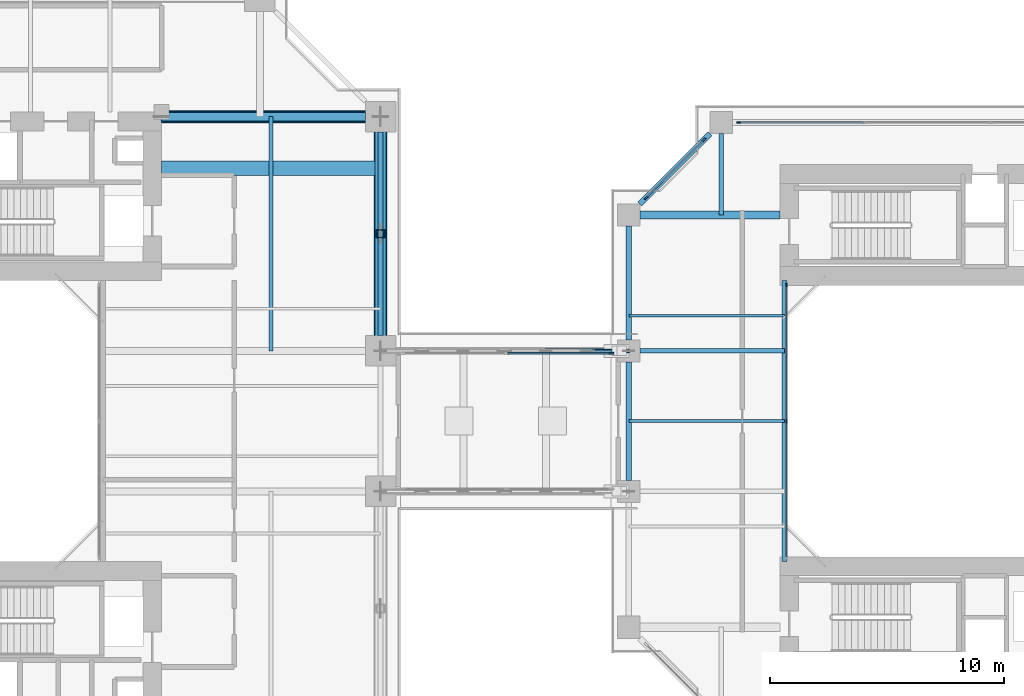
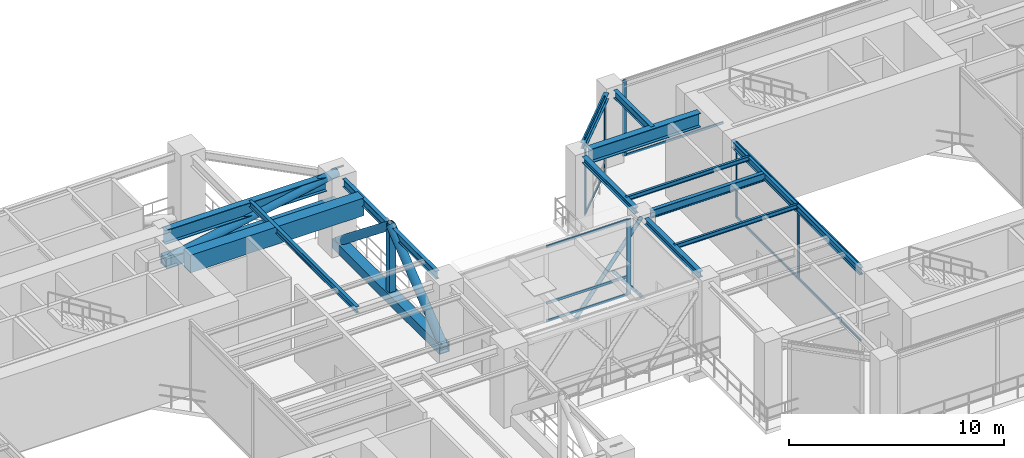
# One storey, part 7 of 26: 24 members, 13 beams, 4 elements without a shape of their own.
"""IFC4 building model written with IfcOpenShell, lengths in metres."""

from ifc_helpers import new_model, si_unit, direction, frame, origin, origin_2d, place, context, subcontext, project, spatial, rectangle, hollow_rectangle, hollow_circle, i_section, extrude, source, transform, mapped, material, layer, layer_set, material_profile, profile_set, type_object, element, aggregate, save


model = new_model("IFC4")

# Units and contexts
model_context = context("Model", 3, precision=1e-05, world=origin(), true_north=direction((0.0, 1.0)))
body_context = subcontext(model_context, "Body", "Model", "MODEL_VIEW")
ifc_project = project(units=[si_unit("LENGTHUNIT", "METRE"), si_unit("AREAUNIT", "SQUARE_METRE"), si_unit("VOLUMEUNIT", "CUBIC_METRE"), si_unit("PLANEANGLEUNIT", "RADIAN"), si_unit("MASSUNIT", "GRAM", prefix="KILO"), si_unit("THERMODYNAMICTEMPERATUREUNIT", "KELVIN"), si_unit("POWERUNIT", "WATT")], contexts=[model_context])

# Site, building, storey
site_placement = place(None, origin())
site = spatial("IfcSite", under=ifc_project, at=site_placement, CompositionType="ELEMENT")
building_placement = place(site_placement, origin())
building = spatial("IfcBuilding", under=site, at=building_placement, Name="Qiaomeng Ring Towers", CompositionType="ELEMENT")
storey_placement = place(building_placement, frame((0.0, 0.0, 45.75)))
storey = spatial("IfcBuildingStorey", under=building, at=storey_placement, Name="L12", CompositionType="ELEMENT", Elevation=45.75)

# Beams
ifc_material_1 = material(Name="Steel Q355B", Category="steel")
ifc_material_profile_1 = material_profile(ifc_material_1, i_section(OverallWidth=0.199951171875, OverallDepth=0.449951171875, WebThickness=0.009033203125, FlangeThickness=0.013916015625, FilletRadius=0.01806640625, at=origin_2d()), Name="HN 450x200x9x14")
ifc_profile_set_1 = profile_set([ifc_material_profile_1], Name="Steel Q355B")
beam_type_1 = type_object("IfcBeamType", Name="STR-BM-HN450", PredefinedType="SPANDREL", material=ifc_profile_set_1)
shared_shape_1 = source(origin(), body_context, "Body", "SweptSolid", [
    extrude(i_section(OverallWidth=0.199951171875, OverallDepth=0.449951171875, WebThickness=0.009033203125, FlangeThickness=0.013916015625, FilletRadius=0.01806640625, at=origin_2d()), origin(), (0.0, 0.0, 1.0), 8.7021484375),
])
beam_1_placement = place(storey_placement, frame((37.14990234375, 26.64892578125, 4.094970703125), z_axis=(0.0, 1.0, 0.0), x_axis=(-1.0, 0.0, 0.0)))
element("IfcBeam", 1, at=beam_1_placement, inside=storey, type_object=beam_type_1, Name="L12 beam STR-SP-L12-T1-E3-E4", PredefinedType="SPANDREL", context=body_context, shape_type="MappedRepresentation", body=[
    mapped(shared_shape_1, transform((0.0, 0.0, 0.0), x_axis=(1.0, 0.0, 0.0), y_axis=(0.0, 1.0, 0.0), z_axis=(0.0, 0.0, 1.0), scale=1.0)),
])
ifc_material_2 = material(Name="Steel Q390GJC", Category="steel")
ifc_material_profile_2 = material_profile(ifc_material_2, i_section(OverallWidth=0.35009765625, OverallDepth=0.800048828125, WebThickness=0.01611328125, FlangeThickness=0.028076171875, at=origin_2d()), Name="WH 800x350x16x28")
ifc_profile_set_2 = profile_set([ifc_material_profile_2], Name="Steel Q390GJC")
beam_type_2 = type_object("IfcBeamType", Name="STR-BM-WH800", PredefinedType="BEAM", material=ifc_profile_set_2)
shared_shape_2 = source(origin(), body_context, "Body", "SweptSolid", [
    extrude(i_section(OverallWidth=0.35009765625, OverallDepth=0.800048828125, WebThickness=0.01611328125, FlangeThickness=0.028076171875, at=origin_2d()), origin(), (0.0, 0.0, 1.0), 8.700927734375),
])
beam_2_placement = place(storey_placement, frame((27.800048828125, 36.0, 3.919921875), z_axis=(1.0, 0.0, 0.0), x_axis=(0.0, 1.0, 0.0)))
element("IfcBeam", 2, at=beam_2_placement, inside=storey, type_object=beam_type_2, Name="L12 beam STR-BM-L12-T1-RAD-E4", PredefinedType="BEAM", context=body_context, shape_type="MappedRepresentation", body=[
    mapped(shared_shape_2, transform((0.0, 0.0, 0.0), x_axis=(1.0, 0.0, 0.0), y_axis=(0.0, 1.0, 0.0), z_axis=(0.0, 0.0, 1.0), scale=1.0)),
])
ifc_material_profile_3 = material_profile(ifc_material_1, i_section(OverallWidth=0.25, OverallDepth=0.340087890625, WebThickness=0.009033203125, FlangeThickness=0.013916015625, FilletRadius=0.02001953125, at=origin_2d()), Name="HM 340x250x9x14")
ifc_profile_set_3 = profile_set([ifc_material_profile_3], Name="Steel Q355B")
beam_type_3 = type_object("IfcBeamType", Name="STR-BM-HM340", PredefinedType="SPANDREL", material=ifc_profile_set_3)
shared_shape_3 = source(origin(), body_context, "Body", "SweptSolid", [
    extrude(i_section(OverallWidth=0.25, OverallDepth=0.340087890625, WebThickness=0.009033203125, FlangeThickness=0.013916015625, FilletRadius=0.02001953125, at=origin_2d()), origin(), (0.0, 0.0, 1.0), 4.244384765625),
])
beam_3_placement = place(storey_placement, frame((51.2255859375, 35.275634765625, 4.14990234375), z_axis=(-0.707106781187, -0.707106781187, 0.0), x_axis=(0.707106781187, -0.707106781187, 0.0)))
element("IfcBeam", 3, at=beam_3_placement, inside=storey, type_object=beam_type_3, Name="L12 beam STR-SP-L12-T2-N1-W4", PredefinedType="SPANDREL", context=body_context, shape_type="MappedRepresentation", body=[
    mapped(shared_shape_3, transform((0.0, 0.0, 0.0), x_axis=(1.0, 0.0, 0.0), y_axis=(0.0, 1.0, 0.0), z_axis=(0.0, 0.0, 1.0), scale=1.0)),
])
shared_shape_4 = source(origin(), body_context, "Body", "SweptSolid", [
    extrude(i_section(OverallWidth=0.25, OverallDepth=0.340087890625, WebThickness=0.009033203125, FlangeThickness=0.013916015625, FilletRadius=0.02001953125, at=origin_2d()), origin(), (0.0, 0.0, 1.0), 4.851806640625),
])
beam_4_placement = place(storey_placement, frame((47.75, 31.325927734375, 4.14990234375), z_axis=(0.0, -1.0, 0.0), x_axis=(1.0, 0.0, 0.0)))
element("IfcBeam", 4, at=beam_4_placement, inside=storey, type_object=beam_type_3, Name="L12 beam STR-SP-L12-T2-W4-W3", PredefinedType="SPANDREL", context=body_context, shape_type="MappedRepresentation", body=[
    mapped(shared_shape_4, transform((0.0, 0.0, 0.0), x_axis=(1.0, 0.0, 0.0), y_axis=(0.0, 1.0, 0.0), z_axis=(0.0, 0.0, 1.0), scale=1.0)),
])
shared_shape_5 = source(origin(), body_context, "Body", "SweptSolid", [
    extrude(i_section(OverallWidth=0.25, OverallDepth=0.340087890625, WebThickness=0.009033203125, FlangeThickness=0.013916015625, FilletRadius=0.02001953125, at=origin_2d()), origin(), (0.0, 0.0, 1.0), 5.0517578125),
])
beam_5_placement = place(storey_placement, frame((47.75, 25.52587890625, 4.14990234375), z_axis=(0.0, -1.0, 0.0), x_axis=(1.0, 0.0, 0.0)))
element("IfcBeam", 5, at=beam_5_placement, inside=storey, type_object=beam_type_3, Name="L12 beam STR-SP-L12-T2-W3-W2", PredefinedType="SPANDREL", context=body_context, shape_type="MappedRepresentation", body=[
    mapped(shared_shape_5, transform((0.0, 0.0, 0.0), x_axis=(1.0, 0.0, 0.0), y_axis=(0.0, 1.0, 0.0), z_axis=(0.0, 0.0, 1.0), scale=1.0)),
])
ifc_material_profile_4 = material_profile(ifc_material_1, i_section(OverallWidth=0.199951171875, OverallDepth=0.39990234375, WebThickness=0.008056640625, FlangeThickness=0.012939453125, FilletRadius=0.01611328125, at=origin_2d()), Name="HN 400x200x8x13")
ifc_profile_set_4 = profile_set([ifc_material_profile_4], Name="Steel Q355B")
beam_type_4 = type_object("IfcBeamType", Name="STR-BM-HN400", PredefinedType="SPANDREL", material=ifc_profile_set_4)
shared_shape_6 = source(origin(), body_context, "Body", "SweptSolid", [
    extrude(i_section(OverallWidth=0.199951171875, OverallDepth=0.39990234375, WebThickness=0.008056640625, FlangeThickness=0.012939453125, FilletRadius=0.01611328125, at=origin_2d()), origin(), (0.0, 0.0, 1.0), 12.0),
])
beam_6_placement = place(storey_placement, frame((54.39990234375, 17.0, 4.1201171875), z_axis=(0.0, 1.0, 0.0), x_axis=(-1.0, 0.0, 0.0)))
element("IfcBeam", 6, at=beam_6_placement, inside=storey, type_object=beam_type_4, Name="L12 beam STR-BM-L12-T2-WELL-W", PredefinedType="SPANDREL", context=body_context, shape_type="MappedRepresentation", body=[
    mapped(shared_shape_6, transform((0.0, 0.0, 0.0), x_axis=(1.0, 0.0, 0.0), y_axis=(0.0, 1.0, 0.0), z_axis=(0.0, 0.0, 1.0), scale=1.0)),
])
shared_shape_7 = source(origin(), body_context, "Body", "SweptSolid", [
    extrude(i_section(OverallWidth=0.35009765625, OverallDepth=0.800048828125, WebThickness=0.01611328125, FlangeThickness=0.028076171875, at=origin_2d()), origin(), (0.0, 0.0, 1.0), 5.975830078125),
])
beam_7_placement = place(storey_placement, frame((48.22412109375, 31.800048828125, 3.919921875), z_axis=(1.0, 0.0, 0.0), x_axis=(0.0, 1.0, 0.0)))
element("IfcBeam", 7, at=beam_7_placement, inside=storey, type_object=beam_type_2, Name="L12 beam STR-BM-L12-T2-RAD-W4", PredefinedType="BEAM", context=body_context, shape_type="MappedRepresentation", body=[
    mapped(shared_shape_7, transform((0.0, 0.0, 0.0), x_axis=(1.0, 0.0, 0.0), y_axis=(0.0, 1.0, 0.0), z_axis=(0.0, 0.0, 1.0), scale=1.0)),
])
shared_shape_8 = source(origin(), body_context, "Body", "SweptSolid", [
    extrude(i_section(OverallWidth=0.199951171875, OverallDepth=0.449951171875, WebThickness=0.009033203125, FlangeThickness=0.013916015625, FilletRadius=0.01806640625, at=origin_2d()), origin(), (0.0, 0.0, 1.0), 6.17578125),
])
beam_8_placement = place(storey_placement, frame((48.22412109375, 26.0, 4.094970703125), z_axis=(1.0, 0.0, 0.0), x_axis=(0.0, 1.0, 0.0)))
element("IfcBeam", 8, at=beam_8_placement, inside=storey, type_object=beam_type_1, Name="L12 beam STR-BM-L12-T2-RAD-W3", PredefinedType="SPANDREL", context=body_context, shape_type="MappedRepresentation", body=[
    mapped(shared_shape_8, transform((0.0, 0.0, 0.0), x_axis=(1.0, 0.0, 0.0), y_axis=(0.0, 1.0, 0.0), z_axis=(0.0, 0.0, 1.0), scale=1.0)),
])
shared_shape_9 = source(origin(), body_context, "Body", "SweptSolid", [
    extrude(i_section(OverallWidth=0.199951171875, OverallDepth=0.449951171875, WebThickness=0.009033203125, FlangeThickness=0.013916015625, FilletRadius=0.01806640625, at=origin_2d()), origin(), (0.0, 0.0, 1.0), 3.475830078125),
])
beam_9_placement = place(storey_placement, frame((51.699951171875, 35.27587890625, 4.094970703125), z_axis=(0.0, -1.0, 0.0), x_axis=(1.0, 0.0, 0.0)))
element("IfcBeam", 9, at=beam_9_placement, inside=storey, type_object=beam_type_1, Name="L12 beam STR-BM-L12-T2-RAD-N1", PredefinedType="SPANDREL", context=body_context, shape_type="MappedRepresentation", body=[
    mapped(shared_shape_9, transform((0.0, 0.0, 0.0), x_axis=(1.0, 0.0, 0.0), y_axis=(0.0, 1.0, 0.0), z_axis=(0.0, 0.0, 1.0), scale=1.0)),
])
ifc_material_profile_5 = material_profile(ifc_material_1, i_section(OverallWidth=0.175048828125, OverallDepth=0.35009765625, WebThickness=0.007080078125, FlangeThickness=0.010986328125, FilletRadius=0.013916015625, at=origin_2d()), Name="HN 350x175x7x11")
ifc_profile_set_5 = profile_set([ifc_material_profile_5], Name="Steel Q355B")
beam_type_5 = type_object("IfcBeamType", Name="STR-BM-HN350", PredefinedType="JOIST", material=ifc_profile_set_5)
shared_shape_10 = source(origin(), body_context, "Body", "SweptSolid", [
    extrude(i_section(OverallWidth=0.175048828125, OverallDepth=0.35009765625, WebThickness=0.007080078125, FlangeThickness=0.010986328125, FilletRadius=0.013916015625, at=origin_2d()), origin(), (0.0, 0.0, 1.0), 10.0),
])
beam_10_placement = place(storey_placement, frame((32.47509765625, 26.0, 4.14501953125), z_axis=(0.0, 1.0, 0.0), x_axis=(-1.0, 0.0, 0.0)))
element("IfcBeam", 10, at=beam_10_placement, inside=storey, type_object=beam_type_5, Name="L12 beam STR-JST-L12-T1C-EN", PredefinedType="JOIST", context=body_context, shape_type="MappedRepresentation", body=[
    mapped(shared_shape_10, transform((0.0, 0.0, 0.0), x_axis=(1.0, 0.0, 0.0), y_axis=(0.0, 1.0, 0.0), z_axis=(0.0, 0.0, 1.0), scale=1.0)),
])
ifc_material_profile_6 = material_profile(ifc_material_1, i_section(OverallWidth=0.125, OverallDepth=0.25, WebThickness=0.006103515625, FlangeThickness=0.009033203125, FilletRadius=0.011962890625, at=origin_2d()), Name="HN 250x125x6x9")
ifc_profile_set_6 = profile_set([ifc_material_profile_6], Name="Steel Q355B")
beam_type_6 = type_object("IfcBeamType", Name="STR-BM-HN250", PredefinedType="JOIST", material=ifc_profile_set_6)
shared_shape_11 = source(origin(), body_context, "Body", "SweptSolid", [
    extrude(i_section(OverallWidth=0.125, OverallDepth=0.25, WebThickness=0.006103515625, FlangeThickness=0.009033203125, FilletRadius=0.011962890625, at=origin_2d()), origin(), (0.0, 0.0, 1.0), 6.64990234375),
])
for number, where, z_axis, x_axis, name in (
    (11, (47.75, 23.0, 4.195068359375), (1.0, 0.0, 0.0), (0.0, 1.0, 0.0), "L12 beam STR-JST-L12-T2W-2"),
    (12, (47.75, 27.5, 4.195068359375), (1.0, 0.0, 0.0), (0.0, 1.0, 0.0), "L12 beam STR-JST-L12-T2W-3"),
):
    element("IfcBeam", number, at=place(storey_placement, frame(where, z_axis=z_axis, x_axis=x_axis)), inside=storey, type_object=beam_type_6, Name=name, PredefinedType="JOIST", context=body_context, shape_type="MappedRepresentation", body=[
        mapped(shared_shape_11, transform((0.0, 0.0, 0.0), x_axis=(1.0, 0.0, 0.0), y_axis=(0.0, 1.0, 0.0), z_axis=(0.0, 0.0, 1.0), scale=1.0)),
    ])
ifc_material_3 = material(Name="Concrete C60", Category="concrete")
ifc_material_profile_7 = material_profile(ifc_material_3, rectangle(XDim=0.60009765625, YDim=1.0, at=origin_2d()), Name="RC BM 600x1000")
ifc_profile_set_7 = profile_set([ifc_material_profile_7], Name="Concrete C60")
beam_type_7 = type_object("IfcBeamType", Name="STR-BM-RC1000", PredefinedType="LINTEL", material=ifc_profile_set_7)
shared_shape_12 = source(origin(), body_context, "Body", "SweptSolid", [
    extrude(rectangle(XDim=0.60009765625, YDim=1.0, at=origin_2d()), origin(), (0.0, 0.0, 1.0), 9.349853515625),
])
beam_11_placement = place(storey_placement, frame((27.800048828125, 33.800048828125, 3.820068359375), z_axis=(1.0, 0.0, 0.0), x_axis=(0.0, 1.0, 0.0)))
element("IfcBeam", 13, at=beam_11_placement, inside=storey, type_object=beam_type_7, Name="L12 beam STR-CB-L12-T1N", PredefinedType="LINTEL", context=body_context, shape_type="MappedRepresentation", body=[
    mapped(shared_shape_12, transform((0.0, 0.0, 0.0), x_axis=(1.0, 0.0, 0.0), y_axis=(0.0, 1.0, 0.0), z_axis=(0.0, 0.0, 1.0), scale=1.0)),
])

# Members
ifc_material_profile_8 = material_profile(ifc_material_2, hollow_rectangle(XDim=0.35009765625, YDim=0.35009765625, WallThickness=0.02001953125, at=origin_2d()), Name="SHS 350x350x20")
ifc_profile_set_8 = profile_set([ifc_material_profile_8], Name="Steel Q390GJC")
member_type_1 = type_object("IfcMemberType", Name="STR-MB-POST-350", PredefinedType="POST", material=ifc_profile_set_8)
shared_shape_13 = source(origin(), body_context, "Body", "SweptSolid", [
    extrude(hollow_rectangle(XDim=0.35009765625, YDim=0.35009765625, WallThickness=0.02001953125, at=origin_2d()), origin(), (0.0, 0.0, 1.0), 4.0),
])
member_1_placement = place(storey_placement, frame((37.14990234375, 31.0, 0.320068359375), z_axis=(0.0, 0.0, 1.0), x_axis=(1.0, 0.0, 0.0)))
element("IfcMember", 14, at=member_1_placement, inside=storey, type_object=member_type_1, Name="L12 Belt Truss Post E3-E4", PredefinedType="POST", context=body_context, shape_type="MappedRepresentation", body=[
    mapped(shared_shape_13, transform((0.0, 0.0, 0.0), x_axis=(1.0, 0.0, 0.0), y_axis=(0.0, 1.0, 0.0), z_axis=(0.0, 0.0, 1.0), scale=1.0)),
])
ifc_material_profile_9 = material_profile(ifc_material_2, hollow_rectangle(XDim=0.550048828125, YDim=0.550048828125, WallThickness=0.031982421875, at=origin_2d()), Name="SHS 550x550x32")
ifc_profile_set_9 = profile_set([ifc_material_profile_9], Name="Steel Q390GJC")
member_type_2 = type_object("IfcMemberType", Name="STR-MB-CHORD-550", PredefinedType="CHORD", material=ifc_profile_set_9)
shared_shape_14 = source(origin(), body_context, "Body", "SweptSolid", [
    extrude(hollow_rectangle(XDim=0.550048828125, YDim=0.550048828125, WallThickness=0.031982421875, at=origin_2d()), origin(), (0.0, 0.0, 1.0), 10.0),
])
member_2_placement = place(storey_placement, frame((37.14990234375, 26.0, 0.320068359375), z_axis=(0.0, 1.0, 0.0), x_axis=(-1.0, 0.0, 0.0)))
element("IfcMember", 15, at=member_2_placement, inside=storey, type_object=member_type_2, Name="L12 Belt Truss Bottom Chord E3-E4", PredefinedType="CHORD", context=body_context, shape_type="MappedRepresentation", body=[
    mapped(shared_shape_14, transform((0.0, 0.0, 0.0), x_axis=(1.0, 0.0, 0.0), y_axis=(0.0, 1.0, 0.0), z_axis=(0.0, 0.0, 1.0), scale=1.0)),
])
ifc_material_profile_10 = material_profile(ifc_material_2, hollow_circle(Radius=0.228515625, WallThickness=0.028076171875, at=origin_2d()), Name="CHS 457x28")
ifc_profile_set_10 = profile_set([ifc_material_profile_10], Name="Steel Q390GJC")
member_type_3 = type_object("IfcMemberType", Name="STR-MB-BR-457", PredefinedType="BRACE", material=ifc_profile_set_10)
shared_shape_15 = source(origin(), body_context, "Body", "SweptSolid", [
    extrude(hollow_circle(Radius=0.228515625, WallThickness=0.028076171875, at=origin_2d()), origin(), (0.0, 0.0, 1.0), 6.390625),
])
for number, where, z_axis, x_axis, name in (
    (16, (37.14990234375, 26.0, 0.320068359375), (0.0, 0.782394587595, 0.622783035497), (-1.0, 0.0, 0.0), "L12 Belt Truss Diagonal E3-M"),
    (17, (37.14990234375, 36.0, 0.320068359375), (0.0, -0.782394587595, 0.622783035497), (1.0, 0.0, 0.0), "L12 Belt Truss Diagonal E4-M"),
):
    element("IfcMember", number, at=place(storey_placement, frame(where, z_axis=z_axis, x_axis=x_axis)), inside=storey, type_object=member_type_3, Name=name, PredefinedType="BRACE", context=body_context, shape_type="MappedRepresentation", body=[
        mapped(shared_shape_15, transform((0.0, 0.0, 0.0), x_axis=(1.0, 0.0, 0.0), y_axis=(0.0, 1.0, 0.0), z_axis=(0.0, 0.0, 1.0), scale=1.0)),
    ])
shared_shape_16 = source(origin(), body_context, "Body", "SweptSolid", [
    extrude(hollow_rectangle(XDim=0.550048828125, YDim=0.550048828125, WallThickness=0.031982421875, at=origin_2d()), origin(), (0.0, 0.0, 1.0), 9.349853515625),
])
member_3_placement = place(storey_placement, frame((27.800048828125, 36.0, 2.47998046875), z_axis=(1.0, 0.0, 0.0), x_axis=(0.0, 1.0, 0.0)))
element("IfcMember", 18, at=member_3_placement, inside=storey, type_object=member_type_2, Name="L12 Core Outrigger Truss Bottom Chord E4", PredefinedType="CHORD", context=body_context, shape_type="MappedRepresentation", body=[
    mapped(shared_shape_16, transform((0.0, 0.0, 0.0), x_axis=(1.0, 0.0, 0.0), y_axis=(0.0, 1.0, 0.0), z_axis=(0.0, 0.0, 1.0), scale=1.0)),
])
shared_shape_17 = source(origin(), body_context, "Body", "SweptSolid", [
    extrude(hollow_circle(Radius=0.228515625, WallThickness=0.028076171875, at=origin_2d()), origin(), (0.0, 0.0, 1.0), 9.525390625),
])
member_4_placement = place(storey_placement, frame((27.800048828125, 36.0, 2.47998046875), z_axis=(0.981575216514, 0.0, 0.191076147978), x_axis=(0.0, 1.0, 0.0)))
element("IfcMember", 19, at=member_4_placement, inside=storey, type_object=member_type_3, Name="L12 Core Outrigger Truss Diagonal E4", PredefinedType="BRACE", context=body_context, shape_type="MappedRepresentation", body=[
    mapped(shared_shape_17, transform((0.0, 0.0, 0.0), x_axis=(1.0, 0.0, 0.0), y_axis=(0.0, 1.0, 0.0), z_axis=(0.0, 0.0, 1.0), scale=1.0)),
])
ifc_material_profile_11 = material_profile(ifc_material_2, hollow_circle(Radius=0.083984375, WallThickness=0.008056640625, at=origin_2d()), Name="CHS 168x8")
ifc_profile_set_11 = profile_set([ifc_material_profile_11], Name="Steel Q390GJC")
member_type_4 = type_object("IfcMemberType", Name="STR-MB-BR-168", PredefinedType="BRACE", material=ifc_profile_set_11)
shared_shape_18 = source(origin(), body_context, "Body", "SweptSolid", [
    extrude(hollow_circle(Radius=0.083984375, WallThickness=0.008056640625, at=origin_2d()), origin(), (0.0, 0.0, 1.0), 2.4599609375),
])
member_5_placement = place(storey_placement, frame((47.75, 26.0, -0.429931640625), z_axis=(-0.617589227462, 0.0, 0.786500823981), x_axis=(0.0, -1.0, 0.0)))
element("IfcMember", 20, at=member_5_placement, inside=storey, type_object=member_type_4, Name="Skybridge Bridge SB1 Split X-Brace Lower N-3", PredefinedType="BRACE", context=body_context, shape_type="MappedRepresentation", body=[
    mapped(shared_shape_18, transform((0.0, 0.0, 0.0), x_axis=(1.0, 0.0, 0.0), y_axis=(0.0, 1.0, 0.0), z_axis=(0.0, 0.0, 1.0), scale=1.0)),
])
ifc_material_profile_12 = material_profile(ifc_material_2, hollow_circle(Radius=0.109619140625, WallThickness=0.011962890625, at=origin_2d()), Name="CHS 219x12")
ifc_profile_set_12 = profile_set([ifc_material_profile_12], Name="Steel Q390GJC")
member_type_5 = type_object("IfcMemberType", Name="STR-MB-BR-219", PredefinedType="BRACE", material=ifc_profile_set_12)
shared_shape_19 = source(origin(), body_context, "Body", "SweptSolid", [
    extrude(hollow_circle(Radius=0.109619140625, WallThickness=0.011962890625, at=origin_2d()), origin(), (0.0, 0.0, 1.0), 5.72119140625),
])
member_6_placement = place(storey_placement, frame((44.217041015625, 26.0, -0.429931640625), z_axis=(0.61752373761, 0.0, 0.786552244602), x_axis=(0.0, 1.0, 0.0)))
element("IfcMember", 21, at=member_6_placement, inside=storey, type_object=member_type_5, Name="Skybridge Bridge SB1 Truss Diagonal N-3", PredefinedType="BRACE", context=body_context, shape_type="MappedRepresentation", body=[
    mapped(shared_shape_19, transform((0.0, 0.0, 0.0), x_axis=(1.0, 0.0, 0.0), y_axis=(0.0, 1.0, 0.0), z_axis=(0.0, 0.0, 1.0), scale=1.0)),
])

# Curtain wall, members
ifc_material_4 = material(Name="Fluorocarbon dark-grey aluminium", Category="aluminium")
ifc_layer_1 = layer(ifc_material_4, 0.139892578125, Name="Fluorocarbon dark-grey aluminium")
ifc_layer_set_1 = layer_set([ifc_layer_1], Name="Fluorocarbon dark-grey aluminium")
curtain_wall_type_1 = type_object("IfcCurtainWallType", Name="ARC-CW-4", PredefinedType="NOTDEFINED", material=ifc_layer_set_1)
curtain_wall_1_placement = place(storey_placement, origin())
curtain_wall_1 = element("IfcCurtainWall", 22, at=curtain_wall_1_placement, inside=storey, type_object=curtain_wall_type_1, Name="L12 Curtain Wall CW4", PredefinedType="NOTDEFINED")
ifc_material_profile_13 = material_profile(ifc_material_4, rectangle(XDim=0.06494140625, YDim=0.1298828125, at=origin_2d()), Name="ALU TRAN 65x130")
ifc_profile_set_13 = profile_set([ifc_material_profile_13], Name="Fluorocarbon dark-grey aluminium")
member_type_6 = type_object("IfcMemberType", Name="ARC-CWT-120", PredefinedType="USERDEFINED", material=ifc_profile_set_13)
shared_shape_20 = source(origin(), body_context, "Body", "SweptSolid", [
    extrude(rectangle(XDim=0.06494140625, YDim=0.1298828125, at=origin_2d()), origin(), (0.0, 0.0, 1.0), 5.75244140625),
])
member_7_placement = place(storey_placement, frame((54.47998046875, 17.215087890625, 0.032470703125), z_axis=(0.0, 1.0, 0.0), x_axis=(-1.0, 0.0, 0.0)))
member_7 = element("IfcMember", 23, at=member_7_placement, type_object=member_type_6, Name="CW4 transom 1.1", ObjectType="TRANSOM", PredefinedType="USERDEFINED", context=body_context, shape_type="MappedRepresentation", body=[
    mapped(shared_shape_20, transform((0.0, 0.0, 0.0), x_axis=(1.0, 0.0, 0.0), y_axis=(0.0, 1.0, 0.0), z_axis=(0.0, 0.0, 1.0), scale=1.0)),
])
member_8_placement = place(storey_placement, frame((54.47998046875, 17.215087890625, 4.28759765625), z_axis=(0.0, 1.0, 0.0), x_axis=(-1.0, 0.0, 0.0)))
member_8 = element("IfcMember", 24, at=member_8_placement, type_object=member_type_6, Name="CW4 transom 1.2", ObjectType="TRANSOM", PredefinedType="USERDEFINED", context=body_context, shape_type="MappedRepresentation", body=[
    mapped(shared_shape_20, transform((0.0, 0.0, 0.0), x_axis=(1.0, 0.0, 0.0), y_axis=(0.0, 1.0, 0.0), z_axis=(0.0, 0.0, 1.0), scale=1.0)),
])
member_9_placement = place(storey_placement, frame((54.47998046875, 23.032470703125, 0.032470703125), z_axis=(0.0, 1.0, 0.0), x_axis=(-1.0, 0.0, 0.0)))
member_9 = element("IfcMember", 25, at=member_9_placement, type_object=member_type_6, Name="CW4 transom 2.1", ObjectType="TRANSOM", PredefinedType="USERDEFINED", context=body_context, shape_type="MappedRepresentation", body=[
    mapped(shared_shape_20, transform((0.0, 0.0, 0.0), x_axis=(1.0, 0.0, 0.0), y_axis=(0.0, 1.0, 0.0), z_axis=(0.0, 0.0, 1.0), scale=1.0)),
])
member_10_placement = place(storey_placement, frame((54.47998046875, 23.032470703125, 4.28759765625), z_axis=(0.0, 1.0, 0.0), x_axis=(-1.0, 0.0, 0.0)))
member_10 = element("IfcMember", 26, at=member_10_placement, type_object=member_type_6, Name="CW4 transom 2.2", ObjectType="TRANSOM", PredefinedType="USERDEFINED", context=body_context, shape_type="MappedRepresentation", body=[
    mapped(shared_shape_20, transform((0.0, 0.0, 0.0), x_axis=(1.0, 0.0, 0.0), y_axis=(0.0, 1.0, 0.0), z_axis=(0.0, 0.0, 1.0), scale=1.0)),
])

# Curtain wall, member
ifc_layer_2 = layer(ifc_material_4, 0.14990234375, Name="Fluorocarbon dark-grey aluminium")
ifc_layer_set_2 = layer_set([ifc_layer_2], Name="Fluorocarbon dark-grey aluminium")
curtain_wall_type_2 = type_object("IfcCurtainWallType", Name="ARC-CW-5", PredefinedType="NOTDEFINED", material=ifc_layer_set_2)
curtain_wall_2_placement = place(storey_placement, origin())
curtain_wall_2 = element("IfcCurtainWall", 27, at=curtain_wall_2_placement, inside=storey, type_object=curtain_wall_type_2, Name="L12 Curtain Wall CW5", PredefinedType="NOTDEFINED")
shared_shape_21 = source(origin(), body_context, "Body", "SweptSolid", [
    extrude(rectangle(XDim=0.06494140625, YDim=0.1298828125, at=origin_2d()), origin(), (0.0, 0.0, 1.0), 5.284912109375),
])
member_11_placement = place(storey_placement, frame((52.485107421875, 35.75, 0.032470703125), z_axis=(1.0, 0.0, 0.0), x_axis=(0.0, 1.0, 0.0)))
member_11 = element("IfcMember", 28, at=member_11_placement, type_object=member_type_6, Name="CW5 transom 1.1", ObjectType="TRANSOM", PredefinedType="USERDEFINED", context=body_context, shape_type="MappedRepresentation", body=[
    mapped(shared_shape_21, transform((0.0, 0.0, 0.0), x_axis=(1.0, 0.0, 0.0), y_axis=(0.0, 1.0, 0.0), z_axis=(0.0, 0.0, 1.0), scale=1.0)),
])

# Curtain wall, members
curtain_wall_3_placement = place(storey_placement, origin())
curtain_wall_3 = element("IfcCurtainWall", 29, at=curtain_wall_3_placement, inside=storey, type_object=curtain_wall_type_2, Name="L12 Curtain Wall CW5", PredefinedType="NOTDEFINED")
shared_shape_22 = source(origin(), body_context, "Body", "SweptSolid", [
    extrude(rectangle(XDim=0.06494140625, YDim=0.1298828125, at=origin_2d()), origin(), (0.0, 0.0, 1.0), 3.424072265625),
])
member_12_placement = place(storey_placement, frame((50.935546875, 34.985595703125, 0.032470703125), z_axis=(-0.707106781187, -0.707106781187, 0.0), x_axis=(0.707106781187, -0.707106781187, 0.0)))
member_12 = element("IfcMember", 30, at=member_12_placement, type_object=member_type_6, Name="CW5 transom 1.1", ObjectType="TRANSOM", PredefinedType="USERDEFINED", context=body_context, shape_type="MappedRepresentation", body=[
    mapped(shared_shape_22, transform((0.0, 0.0, 0.0), x_axis=(1.0, 0.0, 0.0), y_axis=(0.0, 1.0, 0.0), z_axis=(0.0, 0.0, 1.0), scale=1.0)),
])
member_13_placement = place(storey_placement, frame((50.935546875, 34.985595703125, 4.28759765625), z_axis=(-0.707106781187, -0.707106781187, 0.0), x_axis=(0.707106781187, -0.707106781187, 0.0)))
member_13 = element("IfcMember", 31, at=member_13_placement, type_object=member_type_6, Name="CW5 transom 1.2", ObjectType="TRANSOM", PredefinedType="USERDEFINED", context=body_context, shape_type="MappedRepresentation", body=[
    mapped(shared_shape_22, transform((0.0, 0.0, 0.0), x_axis=(1.0, 0.0, 0.0), y_axis=(0.0, 1.0, 0.0), z_axis=(0.0, 0.0, 1.0), scale=1.0)),
])

# Member
ifc_material_profile_14 = material_profile(ifc_material_4, rectangle(XDim=0.06494140625, YDim=0.159912109375, at=origin_2d()), Name="ALU MULL 65x160")
ifc_profile_set_14 = profile_set([ifc_material_profile_14], Name="Fluorocarbon dark-grey aluminium")
member_type_7 = type_object("IfcMemberType", Name="ARC-CWM-140", PredefinedType="MULLION", material=ifc_profile_set_14)
shared_shape_23 = source(origin(), body_context, "Body", "SweptSolid", [
    extrude(rectangle(XDim=0.06494140625, YDim=0.159912109375, at=origin_2d()), origin(), (0.0, 0.0, 1.0), 4.320068359375),
])
member_14_placement = place(storey_placement, frame((54.47998046875, 23.0, 0.0), z_axis=(0.0, 0.0, 1.0), x_axis=(-1.0, 0.0, 0.0)))
member_14 = element("IfcMember", 32, at=member_14_placement, type_object=member_type_7, Name="CW4 mullion 2", PredefinedType="MULLION", context=body_context, shape_type="MappedRepresentation", body=[
    mapped(shared_shape_23, transform((0.0, 0.0, 0.0), x_axis=(1.0, 0.0, 0.0), y_axis=(0.0, 1.0, 0.0), z_axis=(0.0, 0.0, 1.0), scale=1.0)),
])

member_15_placement = place(storey_placement, frame((54.47998046875, 28.8173828125, 0.0), z_axis=(0.0, 0.0, 1.0), x_axis=(-1.0, 0.0, 0.0)))
member_15 = element("IfcMember", 33, at=member_15_placement, type_object=member_type_7, Name="CW4 mullion 3", PredefinedType="MULLION", context=body_context, shape_type="MappedRepresentation", body=[
    mapped(shared_shape_23, transform((0.0, 0.0, 0.0), x_axis=(1.0, 0.0, 0.0), y_axis=(0.0, 1.0, 0.0), z_axis=(0.0, 0.0, 1.0), scale=1.0)),
])

aggregate(curtain_wall_1, [member_14, member_15, member_7, member_8, member_9, member_10])

# Curtain wall, members
ifc_layer_3 = layer(ifc_material_4, 0.169921875, Name="Fluorocarbon dark-grey aluminium")
ifc_layer_set_3 = layer_set([ifc_layer_3], Name="Fluorocarbon dark-grey aluminium")
curtain_wall_type_3 = type_object("IfcCurtainWallType", Name="ARC-CW-6", PredefinedType="NOTDEFINED", material=ifc_layer_set_3)
curtain_wall_4_placement = place(storey_placement, origin())
curtain_wall_4 = element("IfcCurtainWall", 34, at=curtain_wall_4_placement, inside=storey, type_object=curtain_wall_type_3, Name="L12 Curtain Wall CW6", PredefinedType="NOTDEFINED")
ifc_material_profile_15 = material_profile(ifc_material_4, rectangle(XDim=0.080078125, YDim=0.219970703125, at=origin_2d()), Name="ALU MULL 80x220")
ifc_profile_set_15 = profile_set([ifc_material_profile_15], Name="Fluorocarbon dark-grey aluminium")
member_type_8 = type_object("IfcMemberType", Name="ARC-CWM-180", PredefinedType="MULLION", material=ifc_profile_set_15)
shared_shape_24 = source(origin(), body_context, "Body", "SweptSolid", [
    extrude(rectangle(XDim=0.080078125, YDim=0.219970703125, at=origin_2d()), origin(), (0.0, 0.0, 1.0), 4.280029296875),
])
member_16_placement = place(storey_placement, frame((46.9951171875, 25.89990234375, 0.0), z_axis=(0.0, 0.0, 1.0), x_axis=(0.0, 1.0, 0.0)))
member_16 = element("IfcMember", 35, at=member_16_placement, type_object=member_type_8, Name="CW6 mullion 3", PredefinedType="MULLION", context=body_context, shape_type="MappedRepresentation", body=[
    mapped(shared_shape_24, transform((0.0, 0.0, 0.0), x_axis=(1.0, 0.0, 0.0), y_axis=(0.0, 1.0, 0.0), z_axis=(0.0, 0.0, 1.0), scale=1.0)),
])
ifc_material_profile_16 = material_profile(ifc_material_4, rectangle(XDim=0.070068359375, YDim=0.139892578125, at=origin_2d()), Name="ALU TRAN 70x140")
ifc_profile_set_16 = profile_set([ifc_material_profile_16], Name="Fluorocarbon dark-grey aluminium")
member_type_9 = type_object("IfcMemberType", Name="ARC-CWT-140", PredefinedType="USERDEFINED", material=ifc_profile_set_16)
shared_shape_25 = source(origin(), body_context, "Body", "SweptSolid", [
    extrude(rectangle(XDim=0.070068359375, YDim=0.139892578125, at=origin_2d()), origin(), (0.0, 0.0, 1.0), 4.37255859375),
])
member_17_placement = place(storey_placement, frame((42.58251953125, 25.89990234375, 0.034912109375), z_axis=(1.0, 0.0, 0.0), x_axis=(0.0, 1.0, 0.0)))
member_17 = element("IfcMember", 36, at=member_17_placement, type_object=member_type_9, Name="CW6 transom 2.1", ObjectType="TRANSOM", PredefinedType="USERDEFINED", context=body_context, shape_type="MappedRepresentation", body=[
    mapped(shared_shape_25, transform((0.0, 0.0, 0.0), x_axis=(1.0, 0.0, 0.0), y_axis=(0.0, 1.0, 0.0), z_axis=(0.0, 0.0, 1.0), scale=1.0)),
])
member_18_placement = place(storey_placement, frame((42.58251953125, 25.89990234375, 1.050048828125), z_axis=(1.0, 0.0, 0.0), x_axis=(0.0, 1.0, 0.0)))
member_18 = element("IfcMember", 37, at=member_18_placement, type_object=member_type_9, Name="CW6 transom 2.2", ObjectType="TRANSOM", PredefinedType="USERDEFINED", context=body_context, shape_type="MappedRepresentation", body=[
    mapped(shared_shape_25, transform((0.0, 0.0, 0.0), x_axis=(1.0, 0.0, 0.0), y_axis=(0.0, 1.0, 0.0), z_axis=(0.0, 0.0, 1.0), scale=1.0)),
])
member_19_placement = place(storey_placement, frame((42.58251953125, 25.89990234375, 4.2451171875), z_axis=(1.0, 0.0, 0.0), x_axis=(0.0, 1.0, 0.0)))
member_19 = element("IfcMember", 38, at=member_19_placement, type_object=member_type_9, Name="CW6 transom 2.3", ObjectType="TRANSOM", PredefinedType="USERDEFINED", context=body_context, shape_type="MappedRepresentation", body=[
    mapped(shared_shape_25, transform((0.0, 0.0, 0.0), x_axis=(1.0, 0.0, 0.0), y_axis=(0.0, 1.0, 0.0), z_axis=(0.0, 0.0, 1.0), scale=1.0)),
])
aggregate(curtain_wall_4, [member_16, member_17, member_18, member_19])

# Member
ifc_material_profile_17 = material_profile(ifc_material_4, rectangle(XDim=0.070068359375, YDim=0.179931640625, at=origin_2d()), Name="ALU MULL 70x180")
ifc_profile_set_17 = profile_set([ifc_material_profile_17], Name="Fluorocarbon dark-grey aluminium")
member_type_10 = type_object("IfcMemberType", Name="ARC-CWM-160", PredefinedType="MULLION", material=ifc_profile_set_17)
shared_shape_26 = source(origin(), body_context, "Body", "SweptSolid", [
    extrude(rectangle(XDim=0.070068359375, YDim=0.179931640625, at=origin_2d()), origin(), (0.0, 0.0, 1.0), 4.320068359375),
])
member_20_placement = place(storey_placement, frame((52.449951171875, 35.75, 0.0), z_axis=(0.0, 0.0, 1.0), x_axis=(0.0, 1.0, 0.0)))
member_20 = element("IfcMember", 39, at=member_20_placement, type_object=member_type_10, Name="CW5 mullion 1", PredefinedType="MULLION", context=body_context, shape_type="MappedRepresentation", body=[
    mapped(shared_shape_26, transform((0.0, 0.0, 0.0), x_axis=(1.0, 0.0, 0.0), y_axis=(0.0, 1.0, 0.0), z_axis=(0.0, 0.0, 1.0), scale=1.0)),
])

aggregate(curtain_wall_2, [member_20, member_11])

member_21_placement = place(storey_placement, frame((50.960205078125, 35.01025390625, 0.0), z_axis=(0.0, 0.0, 1.0), x_axis=(0.707106781187, -0.707106781187, 0.0)))
member_21 = element("IfcMember", 40, at=member_21_placement, type_object=member_type_10, Name="CW5 mullion 1", PredefinedType="MULLION", context=body_context, shape_type="MappedRepresentation", body=[
    mapped(shared_shape_26, transform((0.0, 0.0, 0.0), x_axis=(1.0, 0.0, 0.0), y_axis=(0.0, 1.0, 0.0), z_axis=(0.0, 0.0, 1.0), scale=1.0)),
])

member_22_placement = place(storey_placement, frame((48.48974609375, 32.539794921875, 0.0), z_axis=(0.0, 0.0, 1.0), x_axis=(0.707106781187, -0.707106781187, 0.0)))
member_22 = element("IfcMember", 41, at=member_22_placement, type_object=member_type_10, Name="CW5 mullion 2", PredefinedType="MULLION", context=body_context, shape_type="MappedRepresentation", body=[
    mapped(shared_shape_26, transform((0.0, 0.0, 0.0), x_axis=(1.0, 0.0, 0.0), y_axis=(0.0, 1.0, 0.0), z_axis=(0.0, 0.0, 1.0), scale=1.0)),
])

aggregate(curtain_wall_3, [member_21, member_22, member_12, member_13])

save(model, "model.ifc")
